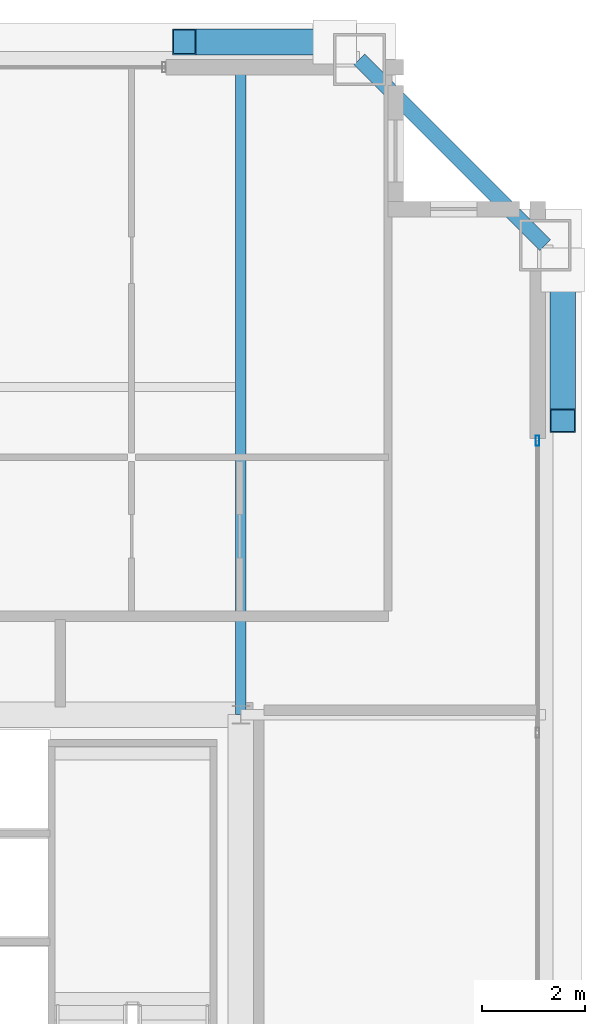
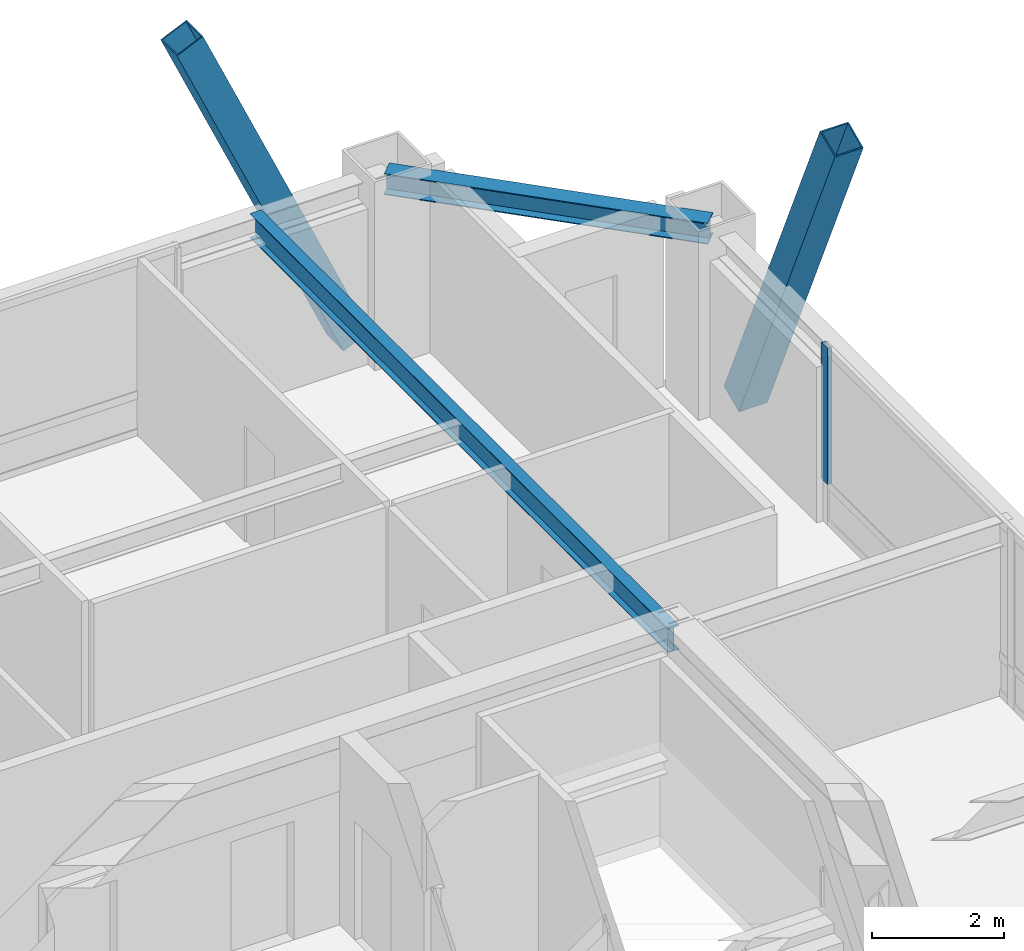
# One storey, part 19 of 35: 3 members, 2 beams, 1 element without a shape of its own.
"""IFC4 building model written with IfcOpenShell, lengths in metres."""

from ifc_helpers import new_model, si_unit, direction, frame, origin, origin_2d, place, context, subcontext, project, spatial, hollow_rectangle, i_section, extrude, source, transform, mapped, material, layer, layer_set, material_profile, profile_set, type_object, element, aggregate, save


model = new_model("IFC4")

# Units and contexts
model_context = context("Model", 3, precision=1e-05, world=origin(), true_north=direction((0.0, 1.0)))
body_context = subcontext(model_context, "Body", "Model", "MODEL_VIEW")
ifc_project = project(units=[si_unit("LENGTHUNIT", "METRE"), si_unit("AREAUNIT", "SQUARE_METRE"), si_unit("VOLUMEUNIT", "CUBIC_METRE"), si_unit("PLANEANGLEUNIT", "RADIAN"), si_unit("MASSUNIT", "GRAM", prefix="KILO"), si_unit("THERMODYNAMICTEMPERATUREUNIT", "KELVIN"), si_unit("POWERUNIT", "WATT")], contexts=[model_context])

# Site, building, storey
site_placement = place(None, origin())
site = spatial("IfcSite", under=ifc_project, at=site_placement, CompositionType="ELEMENT")
building_placement = place(site_placement, origin())
building = spatial("IfcBuilding", under=site, at=building_placement, Name="Yuzanri Waterfront Tower", CompositionType="ELEMENT")
storey_placement = place(building_placement, frame((0.0, 0.0, 314.699951171875)))
storey = spatial("IfcBuildingStorey", under=building, at=storey_placement, Name="L84", CompositionType="ELEMENT", Elevation=314.699951171875)

# Beams
ifc_material_1 = material(Name="Steel Q355B", Category="steel")
ifc_material_profile_1 = material_profile(ifc_material_1, i_section(OverallWidth=0.300048828125, OverallDepth=0.389892578125, WebThickness=0.010009765625, FlangeThickness=0.01611328125, at=origin_2d()), Name="HM 390x300x10x16")
ifc_profile_set_1 = profile_set([ifc_material_profile_1], Name="Steel Q355B")
beam_type_1 = type_object("IfcBeamType", Name="Perimeter Spandrel Q355B HM 390x300", PredefinedType="SPANDREL", material=ifc_profile_set_1)
shared_shape_1 = source(origin(), body_context, "Body", "SweptSolid", [
    extrude(i_section(OverallWidth=0.300048828125, OverallDepth=0.389892578125, WebThickness=0.010009765625, FlangeThickness=0.01611328125, at=origin_2d()), origin(), (0.0, 0.0, 1.0), 5.091064453125),
])
beam_1_placement = place(storey_placement, frame((56.10009765625, 41.300048828125, 3.0849609375), z_axis=(-0.707130757816, 0.707082803744, 0.0), x_axis=(-0.707082803744, -0.707130757816, 0.0)))
element("IfcBeam", 1, at=beam_1_placement, inside=storey, type_object=beam_type_1, Name="L84 Perimeter Spandrel E3-N3", PredefinedType="SPANDREL", context=body_context, shape_type="MappedRepresentation", body=[
    mapped(shared_shape_1, transform((0.0, 0.0, 0.0), scale=1.0)),
])
ifc_material_2 = material(Name="Steel Q355B", Category="steel")
ifc_material_profile_2 = material_profile(ifc_material_2, i_section(OverallWidth=0.199951171875, OverallDepth=0.449951171875, WebThickness=0.009033203125, FlangeThickness=0.013916015625, at=origin_2d()), Name="HN 450x200x9x14")
ifc_profile_set_2 = profile_set([ifc_material_profile_2], Name="Steel Q355B")
beam_type_2 = type_object("IfcBeamType", Name="Secondary Floor Beam Q355B HN 450x200", PredefinedType="BEAM", material=ifc_profile_set_2)
shared_shape_2 = source(origin(), body_context, "Body", "SweptSolid", [
    extrude(i_section(OverallWidth=0.199951171875, OverallDepth=0.449951171875, WebThickness=0.009033203125, FlangeThickness=0.013916015625, at=origin_2d()), origin(), (0.0, 0.0, 1.0), 12.699951171875),
])
beam_2_placement = place(storey_placement, frame((50.199951171875, 32.199951171875, 3.054931640625), z_axis=(0.0, 1.0, 0.0), x_axis=(-1.0, 0.0, 0.0)))
element("IfcBeam", 2, at=beam_2_placement, inside=storey, type_object=beam_type_2, Name="L84 North-East Core Line Beam", PredefinedType="BEAM", context=body_context, shape_type="MappedRepresentation", body=[
    mapped(shared_shape_2, transform((0.0, 0.0, 0.0), scale=1.0)),
])

# Members
ifc_material_3 = material(Name="Steel Q390GJC", Category="steel")
ifc_material_profile_3 = material_profile(ifc_material_3, hollow_rectangle(XDim=0.5, YDim=0.5, WallThickness=0.02197265625, at=origin_2d()), Name="RHS 500x500x22")
ifc_profile_set_3 = profile_set([ifc_material_profile_3], Name="Steel Q390GJC")
member_type_1 = type_object("IfcMemberType", Name="Mega Brace Upper Q390GJC RHS 500x500x22", PredefinedType="BRACE", material=ifc_profile_set_3)
shared_shape_3 = source(origin(), body_context, "Body", "SweptSolid", [
    extrude(hollow_rectangle(XDim=0.5, YDim=0.5, WallThickness=0.02197265625, at=origin_2d()), origin(), (0.0, 0.0, 1.0), 7.125732421875),
])
for number, where, z_axis, x_axis, name in (
    (3, (52.02001953125, 45.239990234375, 0.179931640625), (-0.409771952938, 0.0, 0.912187999584), (0.0, -1.0, 0.0), "L84-L85 Perimeter Mega-Brace N-R"),
    (4, (56.43994140625, 40.820068359375, 0.179931640625), (0.0, -0.409800461192, 0.912175192607), (1.0, 0.0, 0.0), "L84-L85 Perimeter Mega-Brace E-R"),
):
    element("IfcMember", number, at=place(storey_placement, frame(where, z_axis=z_axis, x_axis=x_axis)), inside=storey, type_object=member_type_1, Name=name, PredefinedType="BRACE", context=body_context, shape_type="MappedRepresentation", body=[
        mapped(shared_shape_3, transform((0.0, 0.0, 0.0), scale=1.0)),
    ])

# Curtain wall, member
ifc_material_4 = material(Name="Anodized Architectural Bronze", Category="metal")
ifc_layer = layer(ifc_material_4, 0.159912109375)
ifc_layer_set = layer_set([ifc_layer], Name="Anodized Architectural Bronze")
curtain_wall_type = type_object("IfcCurtainWallType", Name="Anodized Bronze High-Rise Penthouse High-Wind Unitized Curtain Wall 6900", PredefinedType="NOTDEFINED", material=ifc_layer_set)
curtain_wall_placement = place(storey_placement, origin())
curtain_wall = element("IfcCurtainWall", 5, at=curtain_wall_placement, inside=storey, type_object=curtain_wall_type, Name="L84 Curtain Wall CW-L84-ER", PredefinedType="NOTDEFINED")
ifc_material_5 = material(Name="Anodized Architectural Bronze", Category="metal")
ifc_material_profile_4 = material_profile(ifc_material_5, hollow_rectangle(XDim=0.074951171875, YDim=0.199951171875, WallThickness=0.00390625, at=origin_2d()), Name="CWM 75x200")
ifc_profile_set_4 = profile_set([ifc_material_profile_4], Name="Anodized Architectural Bronze")
member_type_2 = type_object("IfcMemberType", Name="Anodized Bronze Primary Curtain-Wall Mullion 75x200", PredefinedType="MULLION", material=ifc_profile_set_4)
shared_shape_4 = source(origin(), body_context, "Body", "SweptSolid", [
    extrude(hollow_rectangle(XDim=0.074951171875, YDim=0.199951171875, WallThickness=0.00390625, at=origin_2d()), origin(), (0.0, 0.0, 1.0), 2.52392578125),
])
member_placement = place(storey_placement, frame((55.949951171875, 37.510009765625, 0.756103515625), z_axis=(0.0, 0.0, 1.0), x_axis=(1.0, 0.0, 0.0)))
member = element("IfcMember", 6, at=member_placement, type_object=member_type_2, Name="CW-L84-ER Upper Mullion 02", PredefinedType="MULLION", context=body_context, shape_type="MappedRepresentation", body=[
    mapped(shared_shape_4, transform((0.0, 0.0, 0.0), scale=1.0)),
])
aggregate(curtain_wall, [member])

save(model, "model.ifc")
